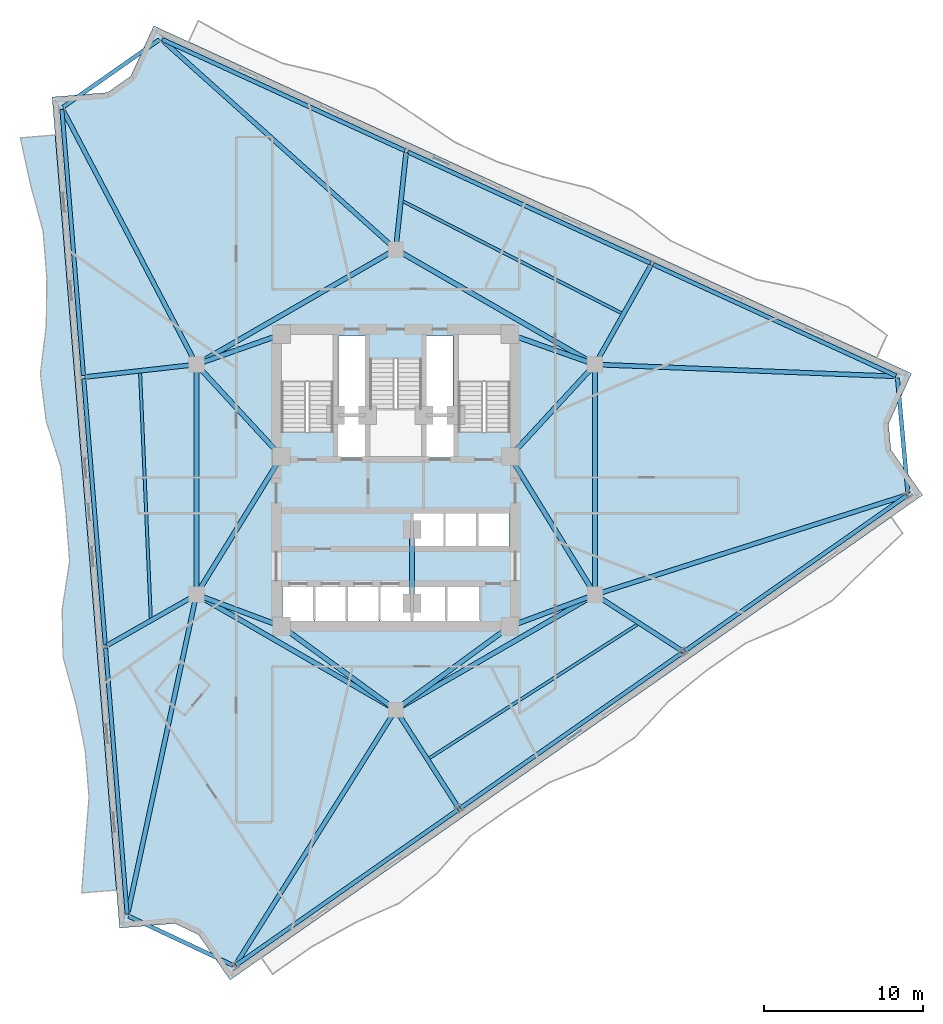
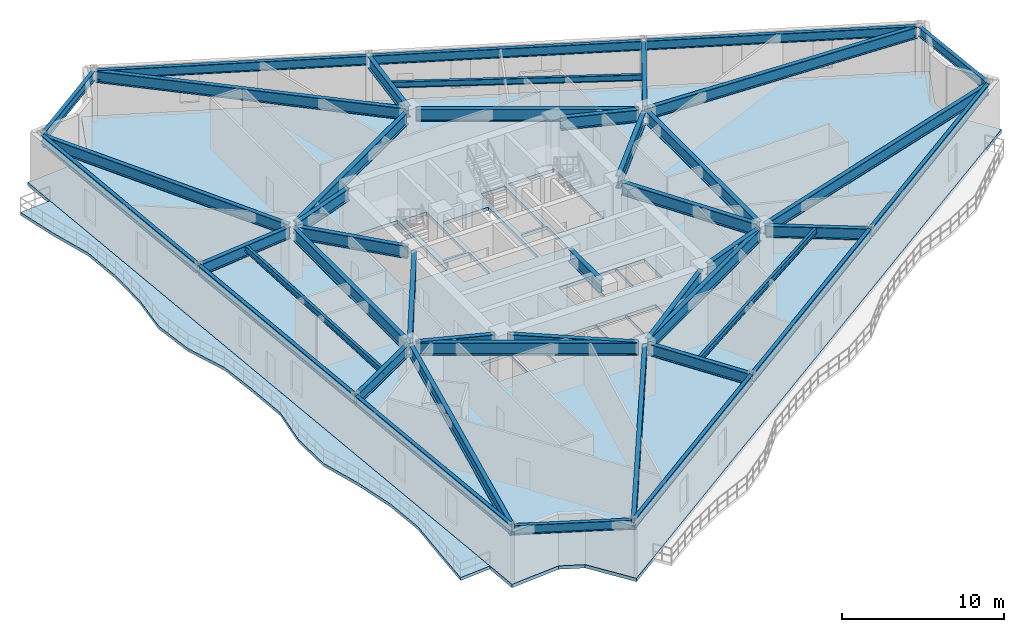
# One storey, part 3 of 11: 44 beams, 2 slabs.
"""IFC4 building model written with IfcOpenShell, lengths in metres."""

import ifcopenshell
import ifcopenshell.guid

model = None  # the IFC model being written
_history = None  # IfcOwnerHistory: only IFC2X3 demands one
_inside = {}  # id of a spatial element -> (the spatial element, [elements in it])
_under = {}  # id of a project, library or spatial element -> (it, [spatial elements below it])
_declared = {}  # id of a project -> (the project, [libraries it declares])
_typed = {}  # id of a type object -> (the type object, [elements of that type])
_made_of = {}  # id of a material, layer set ... -> (it, [elements and type objects made of it])


def new_model(schema):
    """Start an empty IFC model of exactly this schema.

    Asked for "IFC4X3", IfcOpenShell would pick the latest addendum, in which some entities
    have other attributes; the version numbers below select the first issue.
    IFC2X3 requires an IfcOwnerHistory on every rooted entity: one is made here for all.
    """
    global model, _history
    if schema == "IFC4X3":
        model = ifcopenshell.file(schema_version=(4, 3, 0, 0))
    else:
        model = ifcopenshell.file(schema=schema)
    _inside.clear()
    _under.clear()
    _declared.clear()
    _typed.clear()
    _made_of.clear()
    _history = None
    if model.schema == "IFC2X3":
        org = make("IfcOrganization", Name="unknown")
        user = make(
            "IfcPersonAndOrganization",
            ThePerson=make("IfcPerson", FamilyName="unknown"),
            TheOrganization=org,
        )
        app = make(
            "IfcApplication",
            ApplicationDeveloper=org,
            Version="unknown",
            ApplicationFullName="unknown",
            ApplicationIdentifier="unknown",
        )
        _history = make(
            "IfcOwnerHistory",
            OwningUser=user,
            OwningApplication=app,
            ChangeAction="ADDED",
            CreationDate=0,
        )
    return model


def make(cls, **values):
    """One entity of the class cls with the attributes given. An attribute that is None is left unset."""
    return model.create_entity(
        cls, **{name: value for name, value in values.items() if value is not None}
    )


def rooted(cls, **values):
    """An entity with a GlobalId (a new one), such as an element, a storey or a relation."""
    return make(cls, GlobalId=ifcopenshell.guid.new(), OwnerHistory=_history, **values)


def si_unit(unit_type, name, prefix=None):
    """IfcSIUnit, for example si_unit("LENGTHUNIT", "METRE", prefix="MILLI")."""
    return make("IfcSIUnit", UnitType=unit_type, Prefix=prefix, Name=name)


def assignment(units):
    """IfcUnitAssignment: the units of a project."""
    return None if units is None else make("IfcUnitAssignment", Units=units)


def point(xyz):
    """IfcCartesianPoint."""
    return None if xyz is None else make("IfcCartesianPoint", Coordinates=xyz)


def direction(xyz):
    """IfcDirection."""
    return None if xyz is None else make("IfcDirection", DirectionRatios=xyz)


def frame(location, z_axis=None, x_axis=None):
    """IfcAxis2Placement3D, a coordinate frame: its origin and axes. An axis left out is left unset."""
    return make(
        "IfcAxis2Placement3D",
        Location=point(location),
        Axis=direction(z_axis),
        RefDirection=direction(x_axis),
    )


def frame_2d(location, x_axis=None):
    """IfcAxis2Placement2D, a coordinate frame in the plane: its origin and x axis."""
    return make(
        "IfcAxis2Placement2D", Location=point(location), RefDirection=direction(x_axis)
    )


def origin():
    """The frame at (0, 0, 0) with its axes left unset."""
    return frame((0.0, 0.0, 0.0))


def origin_2d():
    """The frame at (0, 0) in the plane with its x axis left unset."""
    return frame_2d((0.0, 0.0))


def place(relative_to, where):
    """IfcLocalPlacement: puts the frame where relative to a parent placement (None: the world)."""
    return make(
        "IfcLocalPlacement", PlacementRelTo=relative_to, RelativePlacement=where
    )


def context(
    kind, dimensions, precision=None, world=None, true_north=None, identifier=None
):
    """IfcGeometricRepresentationContext, for example the 3D "Model" context."""
    return make(
        "IfcGeometricRepresentationContext",
        ContextIdentifier=identifier,
        ContextType=kind,
        CoordinateSpaceDimension=dimensions,
        Precision=precision,
        WorldCoordinateSystem=world,
        TrueNorth=true_north,
    )


def subcontext(parent, identifier, kind, view, scale=None):
    """IfcGeometricRepresentationSubContext, for example "Body" below "Model"."""
    return make(
        "IfcGeometricRepresentationSubContext",
        ContextIdentifier=identifier,
        ContextType=kind,
        ParentContext=parent,
        TargetScale=scale,
        TargetView=view,
    )


def project(units=None, contexts=None):
    """IfcProject with its units and contexts."""
    return rooted(
        "IfcProject",
        Name="project",
        RepresentationContexts=contexts,
        UnitsInContext=assignment(units),
    )


def spatial(cls, under=None, at=None, **own):
    """A site, building, storey or space (cls), placed at a placement, below another one or the project."""
    s = rooted(cls, ObjectPlacement=at, **own)
    if under is not None:
        _under.setdefault(under.id(), (under, []))[1].append(s)
    return s


def polyline(points):
    """IfcPolyline through the points."""
    return make("IfcPolyline", Points=[point(p) for p in points])


def profile(cls, at=None, kind="AREA", **sizes):
    """A parametric profile (cls). Its sizes go by their IFC names, for example OverallWidth=200.0."""
    return make(cls, ProfileType=kind, Position=at, **sizes)


def i_section(**sizes):
    """IfcIShapeProfileDef."""
    return profile("IfcIShapeProfileDef", **sizes)


def outline(outer, holes=None, kind="AREA"):
    """IfcArbitraryClosedProfileDef: a profile drawn as a closed curve; with holes, ...WithVoids."""
    if holes is None:
        return make("IfcArbitraryClosedProfileDef", ProfileType=kind, OuterCurve=outer)
    return make(
        "IfcArbitraryProfileDefWithVoids",
        ProfileType=kind,
        OuterCurve=outer,
        InnerCurves=holes,
    )


def extrude(swept, where, along, depth):
    """IfcExtrudedAreaSolid: the profile swept, set in the frame where, extruded along a direction by depth."""
    return make(
        "IfcExtrudedAreaSolid",
        SweptArea=swept,
        Position=where,
        ExtrudedDirection=direction(along),
        Depth=depth,
    )


def shape(context_of_items, identifier, shape_type, items):
    """IfcShapeRepresentation: the items that make up one representation, for example the "Body"."""
    return make(
        "IfcShapeRepresentation",
        ContextOfItems=context_of_items,
        RepresentationIdentifier=identifier,
        RepresentationType=shape_type,
        Items=items,
    )


def material(Name=None, Category=None):
    """IfcMaterial."""
    return make("IfcMaterial", Name=Name, Category=Category)


def layer(
    of_material, thickness, ventilated=None, Name=None, Category=None, Priority=None
):
    """IfcMaterialLayer: one layer of a wall or slab, of a material (None: an air gap)."""
    return make(
        "IfcMaterialLayer",
        Material=of_material,
        LayerThickness=thickness,
        IsVentilated=ventilated,
        Name=Name,
        Category=Category,
        Priority=Priority,
    )


def layer_set(layers, Name=None):
    """IfcMaterialLayerSet."""
    return make("IfcMaterialLayerSet", MaterialLayers=layers, LayerSetName=Name)


def material_profile(
    of_material, cross_section, Name=None, Category=None, Priority=None
):
    """IfcMaterialProfile: a cross section and its material."""
    return make(
        "IfcMaterialProfile",
        Name=Name,
        Material=of_material,
        Profile=cross_section,
        Priority=Priority,
        Category=Category,
    )


def profile_set(profiles, Name=None, composite=None):
    """IfcMaterialProfileSet."""
    return make(
        "IfcMaterialProfileSet",
        Name=Name,
        MaterialProfiles=profiles,
        CompositeProfile=composite,
    )


def made_of(thing, what):
    """Note that an element or type object is made of a material, layer set ...; save() writes the relation."""
    if what is not None:
        _made_of.setdefault(what.id(), (what, []))[1].append(thing)
    return thing


def type_object(cls, material=None, **own):
    """A type object (cls), such as IfcWallType, which elements share."""
    return made_of(rooted(cls, **own), material)


def element(
    cls,
    number,
    at=None,
    inside=None,
    cuts=None,
    type_object=None,
    material=None,
    context=None,
    identifier="Body",
    shape_type=None,
    held_by="IfcProductDefinitionShape",
    body=None,
    shapes=None,
    **own,
):
    """One element of the class cls, such as IfcWall. Its Tag is "e" and its number.

    at: its placement. inside: the storey or other place that contains it. cuts: it is an
    opening in that element (IfcRelVoidsElement). A single representation is given by context,
    identifier, shape_type and body (its items); several are given by shapes. held_by: the class
    of the entity that holds the representations. save() writes the other relations.
    """
    e = rooted(cls, Tag="e%d" % number, ObjectPlacement=at, **own)
    if body is not None:
        shapes = [shape(context, identifier, shape_type, body)]
    if shapes is not None:
        e.Representation = make(held_by, Representations=shapes)
    if inside is not None:
        _inside.setdefault(inside.id(), (inside, []))[1].append(e)
    if cuts is not None:
        rooted(
            "IfcRelVoidsElement", RelatingBuildingElement=cuts, RelatedOpeningElement=e
        )
    if type_object is not None:
        _typed.setdefault(type_object.id(), (type_object, []))[1].append(e)
    return made_of(e, material)


def aggregate(whole, parts):
    """IfcRelAggregates: a whole, such as a stair, and the parts it consists of."""
    return rooted("IfcRelAggregates", RelatingObject=whole, RelatedObjects=parts)


def save(model, path):
    """Write the relations noted so far, then the file.

    IfcRelAggregates (storeys below a building ...), IfcRelContainedInSpatialStructure (elements
    in a storey), IfcRelDefinesByType, IfcRelAssociatesMaterial and IfcRelDeclares: one each for
    every whole, place, type object, material and project.
    """
    for whole, parts in _under.values():
        aggregate(whole, parts)
    for where, things in _inside.values():
        rooted(
            "IfcRelContainedInSpatialStructure",
            RelatedElements=things,
            RelatingStructure=where,
        )
    for kind, things in _typed.values():
        rooted("IfcRelDefinesByType", RelatedObjects=things, RelatingType=kind)
    for what, things in _made_of.values():
        rooted("IfcRelAssociatesMaterial", RelatedObjects=things, RelatingMaterial=what)
    for by, libraries in _declared.values():
        rooted("IfcRelDeclares", RelatingContext=by, RelatedDefinitions=libraries)
    model.write(path)


model = new_model("IFC4")

# Units and contexts
model_context = context("Model", 3, precision=1e-05, world=origin(), true_north=direction((0.0, 1.0)))
body_context = subcontext(model_context, "Body", "Model", "MODEL_VIEW")
ifc_project = project(units=[si_unit("LENGTHUNIT", "METRE"), si_unit("AREAUNIT", "SQUARE_METRE"), si_unit("VOLUMEUNIT", "CUBIC_METRE"), si_unit("PLANEANGLEUNIT", "RADIAN"), si_unit("MASSUNIT", "GRAM", prefix="KILO")], contexts=[model_context])

# Site, building, storey
site_placement = place(None, origin())
site = spatial("IfcSite", under=ifc_project, at=site_placement, CompositionType="ELEMENT")
building_placement = place(site_placement, origin())
building = spatial("IfcBuilding", under=site, at=building_placement, Name="Apsidion Concourse Tower", CompositionType="ELEMENT")
storey_placement = place(building_placement, frame((0.0, 0.0, 214.699951171875)))
storey = spatial("IfcBuildingStorey", under=building, at=storey_placement, Name="L50", CompositionType="ELEMENT", Elevation=214.699951171875)

# Beams
ifc_material_1 = material(Name="Structural steel ASTM A992 Grade 50", Category="steel")
ifc_material_profile_1 = material_profile(ifc_material_1, i_section(OverallWidth=0.19091796875, OverallDepth=0.45703125, WebThickness=0.009033203125, FlangeThickness=0.014404296875, at=origin_2d()), Name="W18X50")
ifc_profile_set_1 = profile_set([ifc_material_profile_1], Name="Structural steel ASTM A992 Grade 50")
beam_type_1 = type_object("IfcBeamType", Name="BM-FL-W18", PredefinedType="BEAM", material=ifc_profile_set_1)
beam_1_placement = place(storey_placement, frame((-16.11181640625, 6.8505859375, 3.62158203125), z_axis=(0.043631006422, -0.999047714215, 0.0), x_axis=(0.999047714215, 0.043631006422, 0.0)))
element("IfcBeam", 1, at=beam_1_placement, inside=storey, type_object=beam_type_1, Name="L50 Secondary Floor Beam SEC-F1", PredefinedType="BEAM", context=body_context, shape_type="SweptSolid", body=[
    extrude(i_section(OverallWidth=0.19091796875, OverallDepth=0.45703125, WebThickness=0.009033203125, FlangeThickness=0.014404296875, at=origin_2d()), origin(), (0.0, 0.0, 1.0), 15.745849609375),
])
beam_2_placement = place(storey_placement, frame((1.998291015625, -17.62744140625, 3.62158203125), z_axis=(0.841372392943, 0.540455822796, 0.0), x_axis=(-0.540455822796, 0.841372392943, 0.0)))
element("IfcBeam", 2, at=beam_2_placement, inside=storey, type_object=beam_type_1, Name="L50 Secondary Floor Beam SEC-F2", PredefinedType="BEAM", context=body_context, shape_type="SweptSolid", body=[
    extrude(i_section(OverallWidth=0.19091796875, OverallDepth=0.45703125, WebThickness=0.009033203125, FlangeThickness=0.014404296875, at=origin_2d()), origin(), (0.0, 0.0, 1.0), 15.866943359375),
])
beam_3_placement = place(storey_placement, frame((14.345947265625, 10.4208984375, 3.62158203125), z_axis=(-0.89021964365, 0.455531542332, 0.0), x_axis=(-0.455531542332, -0.89021964365, 0.0)))
element("IfcBeam", 3, at=beam_3_placement, inside=storey, type_object=beam_type_1, Name="L50 Secondary Floor Beam SEC-F3", PredefinedType="BEAM", context=body_context, shape_type="SweptSolid", body=[
    extrude(i_section(OverallWidth=0.19091796875, OverallDepth=0.45703125, WebThickness=0.009033203125, FlangeThickness=0.014404296875, at=origin_2d()), origin(), (0.0, 0.0, 1.0), 15.742431640625),
])
ifc_material_profile_2 = material_profile(ifc_material_1, i_section(OverallWidth=0.2919921875, OverallDepth=0.85888671875, WebThickness=0.01708984375, FlangeThickness=0.031005859375, at=origin_2d()), Name="W33X169")
ifc_profile_set_2 = profile_set([ifc_material_profile_2], Name="Structural steel ASTM A992 Grade 50")
beam_type_2 = type_object("IfcBeamType", Name="BM-G-W33", PredefinedType="USERDEFINED", material=ifc_profile_set_2)
beam_4_placement = place(storey_placement, frame((-12.662109375, 7.44482421875, 3.420654296875), z_axis=(-0.464502454228, 0.885571832217, 0.0), x_axis=(-0.885571832217, -0.464502454228, 0.0)))
element("IfcBeam", 4, at=beam_4_placement, inside=storey, type_object=beam_type_2, Name="L50 Radial Floor Girder RAD-01", ObjectType="GIRDER", PredefinedType="USERDEFINED", context=body_context, shape_type="SweptSolid", body=[
    extrude(i_section(OverallWidth=0.2919921875, OverallDepth=0.85888671875, WebThickness=0.01708984375, FlangeThickness=0.031005859375, at=origin_2d()), origin(), (0.0, 0.0, 1.0), 17.93115234375),
])
beam_5_placement = place(storey_placement, frame((-12.778564453125, 7.225341796875, 3.420654296875), z_axis=(-0.993738563009, -0.111730337821, 0.0), x_axis=(0.111730337821, -0.993738563009, 0.0)))
element("IfcBeam", 5, at=beam_5_placement, inside=storey, type_object=beam_type_2, Name="L50 Radial Floor Girder RAD-02", ObjectType="GIRDER", PredefinedType="USERDEFINED", context=body_context, shape_type="SweptSolid", body=[
    extrude(i_section(OverallWidth=0.2919921875, OverallDepth=0.85888671875, WebThickness=0.01708984375, FlangeThickness=0.031005859375, at=origin_2d()), origin(), (0.0, 0.0, 1.0), 6.828369140625),
])
beam_6_placement = place(storey_placement, frame((-12.751220703125, -7.35888671875, 3.420654296875), z_axis=(-0.869137581248, -0.494570384134, 0.0), x_axis=(0.494570384134, -0.869137581248, 0.0)))
element("IfcBeam", 6, at=beam_6_placement, inside=storey, type_object=beam_type_2, Name="L50 Radial Floor Girder RAD-03", ObjectType="GIRDER", PredefinedType="USERDEFINED", context=body_context, shape_type="SweptSolid", body=[
    extrude(i_section(OverallWidth=0.2919921875, OverallDepth=0.85888671875, WebThickness=0.01708984375, FlangeThickness=0.031005859375, at=origin_2d()), origin(), (0.0, 0.0, 1.0), 6.272216796875),
])
beam_7_placement = place(storey_placement, frame((-12.606201171875, -7.465087890625, 3.420654296875), z_axis=(-0.210551493457, -0.97758276816, 0.0), x_axis=(0.97758276816, -0.210551493457, 0.0)))
element("IfcBeam", 7, at=beam_7_placement, inside=storey, type_object=beam_type_2, Name="L50 Radial Floor Girder RAD-04", ObjectType="GIRDER", PredefinedType="USERDEFINED", context=body_context, shape_type="SweptSolid", body=[
    extrude(i_section(OverallWidth=0.2919921875, OverallDepth=0.85888671875, WebThickness=0.01708984375, FlangeThickness=0.031005859375, at=origin_2d()), origin(), (0.0, 0.0, 1.0), 20.365966796875),
])
beam_8_placement = place(storey_placement, frame((-0.116943359375, -14.686279296875, 3.420654296875), z_axis=(-0.531745770751, -0.846904029562, 0.0), x_axis=(0.846904029562, -0.531745770751, 0.0)))
element("IfcBeam", 8, at=beam_8_placement, inside=storey, type_object=beam_type_2, Name="L50 Radial Floor Girder RAD-05", ObjectType="GIRDER", PredefinedType="USERDEFINED", context=body_context, shape_type="SweptSolid", body=[
    extrude(i_section(OverallWidth=0.2919921875, OverallDepth=0.85888671875, WebThickness=0.01708984375, FlangeThickness=0.031005859375, at=origin_2d()), origin(), (0.0, 0.0, 1.0), 18.7568359375),
])
beam_9_placement = place(storey_placement, frame((0.118408203125, -14.685302734375, 3.420654296875), z_axis=(0.538373682335, -0.842706222933, 0.0), x_axis=(0.842706222933, 0.538373682335, 0.0)))
element("IfcBeam", 9, at=beam_9_placement, inside=storey, type_object=beam_type_2, Name="L50 Radial Floor Girder RAD-06", ObjectType="GIRDER", PredefinedType="USERDEFINED", context=body_context, shape_type="SweptSolid", body=[
    extrude(i_section(OverallWidth=0.2919921875, OverallDepth=0.85888671875, WebThickness=0.01708984375, FlangeThickness=0.031005859375, at=origin_2d()), origin(), (0.0, 0.0, 1.0), 7.102783203125),
])
beam_10_placement = place(storey_placement, frame((12.744873046875, -7.369384765625, 3.420654296875), z_axis=(0.839870608356, -0.542786662714, 0.0), x_axis=(0.542786662714, 0.839870608356, 0.0)))
element("IfcBeam", 10, at=beam_10_placement, inside=storey, type_object=beam_type_2, Name="L50 Radial Floor Girder RAD-07", ObjectType="GIRDER", PredefinedType="USERDEFINED", context=body_context, shape_type="SweptSolid", body=[
    extrude(i_section(OverallWidth=0.2919921875, OverallDepth=0.85888671875, WebThickness=0.01708984375, FlangeThickness=0.031005859375, at=origin_2d()), origin(), (0.0, 0.0, 1.0), 6.319580078125),
])
beam_11_placement = place(storey_placement, frame((12.76953125, -7.18310546875, 3.420654296875), z_axis=(0.952593847726, 0.304244903449, 0.0), x_axis=(-0.304244903449, 0.952593847726, 0.0)))
element("IfcBeam", 11, at=beam_11_placement, inside=storey, type_object=beam_type_2, Name="L50 Radial Floor Girder RAD-08", ObjectType="GIRDER", PredefinedType="USERDEFINED", context=body_context, shape_type="SweptSolid", body=[
    extrude(i_section(OverallWidth=0.2919921875, OverallDepth=0.85888671875, WebThickness=0.01708984375, FlangeThickness=0.031005859375, at=origin_2d()), origin(), (0.0, 0.0, 1.0), 20.378173828125),
])
beam_12_placement = place(storey_placement, frame((12.77978515625, 7.2412109375, 3.420654296875), z_axis=(0.999223835847, -0.039391951902, 0.0), x_axis=(0.039391951902, 0.999223835847, 0.0)))
element("IfcBeam", 12, at=beam_12_placement, inside=storey, type_object=beam_type_2, Name="L50 Radial Floor Girder RAD-09", ObjectType="GIRDER", PredefinedType="USERDEFINED", context=body_context, shape_type="SweptSolid", body=[
    extrude(i_section(OverallWidth=0.2919921875, OverallDepth=0.85888671875, WebThickness=0.01708984375, FlangeThickness=0.031005859375, at=origin_2d()), origin(), (0.0, 0.0, 1.0), 18.73583984375),
])
beam_13_placement = place(storey_placement, frame((12.66796875, 7.441650390625, 3.420654296875), z_axis=(0.4907642116, 0.871292424283, 0.0), x_axis=(-0.871292424283, 0.4907642116, 0.0)))
element("IfcBeam", 13, at=beam_13_placement, inside=storey, type_object=beam_type_2, Name="L50 Radial Floor Girder RAD-10", ObjectType="GIRDER", PredefinedType="USERDEFINED", context=body_context, shape_type="SweptSolid", body=[
    extrude(i_section(OverallWidth=0.2919921875, OverallDepth=0.85888671875, WebThickness=0.01708984375, FlangeThickness=0.031005859375, at=origin_2d()), origin(), (0.0, 0.0, 1.0), 6.95849609375),
])
beam_14_placement = place(storey_placement, frame((0.0234375, 14.71875, 3.420654296875), z_axis=(0.106642710953, 0.994297406313, 0.0), x_axis=(-0.994297406313, 0.106642710953, 0.0)))
element("IfcBeam", 14, at=beam_14_placement, inside=storey, type_object=beam_type_2, Name="L50 Radial Floor Girder RAD-11", ObjectType="GIRDER", PredefinedType="USERDEFINED", context=body_context, shape_type="SweptSolid", body=[
    extrude(i_section(OverallWidth=0.2919921875, OverallDepth=0.85888671875, WebThickness=0.01708984375, FlangeThickness=0.031005859375, at=origin_2d()), origin(), (0.0, 0.0, 1.0), 5.899658203125),
])
beam_15_placement = place(storey_placement, frame((-0.163818359375, 14.64697265625, 3.420654296875), z_axis=(-0.74450463884, 0.667617287632, 0.0), x_axis=(-0.667617287632, -0.74450463884, 0.0)))
element("IfcBeam", 15, at=beam_15_placement, inside=storey, type_object=beam_type_2, Name="L50 Radial Floor Girder RAD-12", ObjectType="GIRDER", PredefinedType="USERDEFINED", context=body_context, shape_type="SweptSolid", body=[
    extrude(i_section(OverallWidth=0.2919921875, OverallDepth=0.85888671875, WebThickness=0.01708984375, FlangeThickness=0.031005859375, at=origin_2d()), origin(), (0.0, 0.0, 1.0), 19.566162109375),
])
ifc_material_profile_3 = material_profile(ifc_material_1, i_section(OverallWidth=0.31005859375, OverallDepth=0.931884765625, WebThickness=0.02099609375, FlangeThickness=0.034423828125, at=origin_2d()), Name="W36X210")
ifc_profile_set_3 = profile_set([ifc_material_profile_3], Name="Structural steel ASTM A992 Grade 50")
beam_type_3 = type_object("IfcBeamType", Name="BM-G-W36", PredefinedType="USERDEFINED", material=ifc_profile_set_3)
beam_16_placement = place(storey_placement, frame((-12.185302734375, -7.389892578125, 3.384033203125), z_axis=(0.936913021145, -0.349562570664, 0.0), x_axis=(0.349562570664, 0.936913021145, 0.0)))
element("IfcBeam", 16, at=beam_16_placement, inside=storey, type_object=beam_type_3, Name="L50 Core Coupling Girder IC1-SC1", ObjectType="GIRDER", PredefinedType="USERDEFINED", context=body_context, shape_type="SweptSolid", body=[
    extrude(i_section(OverallWidth=0.31005859375, OverallDepth=0.931884765625, WebThickness=0.02099609375, FlangeThickness=0.034423828125, at=origin_2d()), origin(), (0.0, 0.0, 1.0), 4.921142578125),
])
beam_17_placement = place(storey_placement, frame((-12.35009765625, -6.909423828125, 3.384033203125), z_axis=(0.524524009763, 0.851395656074, 0.0), x_axis=(-0.851395656074, 0.524524009763, 0.0)))
element("IfcBeam", 17, at=beam_17_placement, inside=storey, type_object=beam_type_3, Name="L50 Core Coupling Girder IC1-SC6", ObjectType="GIRDER", PredefinedType="USERDEFINED", context=body_context, shape_type="SweptSolid", body=[
    extrude(i_section(OverallWidth=0.31005859375, OverallDepth=0.931884765625, WebThickness=0.02099609375, FlangeThickness=0.034423828125, at=origin_2d()), origin(), (0.0, 0.0, 1.0), 9.41845703125),
])
beam_18_placement = place(storey_placement, frame((12.185302734375, -7.389892578125, 3.384033203125), z_axis=(-0.936913021145, -0.349562570664, 0.0), x_axis=(0.349562570664, -0.936913021145, 0.0)))
element("IfcBeam", 18, at=beam_18_placement, inside=storey, type_object=beam_type_3, Name="L50 Core Coupling Girder IC2-SC2", ObjectType="GIRDER", PredefinedType="USERDEFINED", context=body_context, shape_type="SweptSolid", body=[
    extrude(i_section(OverallWidth=0.31005859375, OverallDepth=0.931884765625, WebThickness=0.02099609375, FlangeThickness=0.034423828125, at=origin_2d()), origin(), (0.0, 0.0, 1.0), 4.921142578125),
])
beam_19_placement = place(storey_placement, frame((12.35009765625, -6.909423828125, 3.384033203125), z_axis=(-0.524524009763, 0.851395656074, 0.0), x_axis=(-0.851395656074, -0.524524009763, 0.0)))
element("IfcBeam", 19, at=beam_19_placement, inside=storey, type_object=beam_type_3, Name="L50 Core Coupling Girder IC2-SC3", ObjectType="GIRDER", PredefinedType="USERDEFINED", context=body_context, shape_type="SweptSolid", body=[
    extrude(i_section(OverallWidth=0.31005859375, OverallDepth=0.931884765625, WebThickness=0.02099609375, FlangeThickness=0.034423828125, at=origin_2d()), origin(), (0.0, 0.0, 1.0), 9.41845703125),
])
beam_20_placement = place(storey_placement, frame((12.28857421875, 6.956298828125, 3.384033203125), z_axis=(-0.678712876106, -0.73440372535, 0.0), x_axis=(0.73440372535, -0.678712876106, 0.0)))
element("IfcBeam", 20, at=beam_20_placement, inside=storey, type_object=beam_type_3, Name="L50 Core Coupling Girder IC3-SC3", ObjectType="GIRDER", PredefinedType="USERDEFINED", context=body_context, shape_type="SweptSolid", body=[
    extrude(i_section(OverallWidth=0.31005859375, OverallDepth=0.931884765625, WebThickness=0.02099609375, FlangeThickness=0.034423828125, at=origin_2d()), origin(), (0.0, 0.0, 1.0), 7.097412109375),
])
beam_21_placement = place(storey_placement, frame((12.18310546875, 7.383544921875, 3.384033203125), z_axis=(-0.942533844539, 0.334110688094, 0.0), x_axis=(-0.334110688094, -0.942533844539, 0.0)))
element("IfcBeam", 21, at=beam_21_placement, inside=storey, type_object=beam_type_3, Name="L50 Core Coupling Girder IC3-SC4", ObjectType="GIRDER", PredefinedType="USERDEFINED", context=body_context, shape_type="SweptSolid", body=[
    extrude(i_section(OverallWidth=0.31005859375, OverallDepth=0.931884765625, WebThickness=0.02099609375, FlangeThickness=0.034423828125, at=origin_2d()), origin(), (0.0, 0.0, 1.0), 4.886962890625),
])
beam_22_placement = place(storey_placement, frame((-12.28857421875, 6.956298828125, 3.384033203125), z_axis=(0.678712876106, -0.73440372535, 0.0), x_axis=(0.73440372535, 0.678712876106, 0.0)))
element("IfcBeam", 22, at=beam_22_placement, inside=storey, type_object=beam_type_3, Name="L50 Core Coupling Girder IC5-SC6", ObjectType="GIRDER", PredefinedType="USERDEFINED", context=body_context, shape_type="SweptSolid", body=[
    extrude(i_section(OverallWidth=0.31005859375, OverallDepth=0.931884765625, WebThickness=0.02099609375, FlangeThickness=0.034423828125, at=origin_2d()), origin(), (0.0, 0.0, 1.0), 7.097412109375),
])
beam_23_placement = place(storey_placement, frame((-12.18310546875, 7.383544921875, 3.384033203125), z_axis=(0.942533844539, 0.334110688094, 0.0), x_axis=(-0.334110688094, 0.942533844539, 0.0)))
element("IfcBeam", 23, at=beam_23_placement, inside=storey, type_object=beam_type_3, Name="L50 Core Coupling Girder IC5-SC5", ObjectType="GIRDER", PredefinedType="USERDEFINED", context=body_context, shape_type="SweptSolid", body=[
    extrude(i_section(OverallWidth=0.31005859375, OverallDepth=0.931884765625, WebThickness=0.02099609375, FlangeThickness=0.034423828125, at=origin_2d()), origin(), (0.0, 0.0, 1.0), 4.886962890625),
])
for number, where, z_axis, x_axis, name in (
    (24, (-0.3232421875, -14.264404296875, 3.384033203125), (-0.807993498909, 0.589191399905, 0.0), (-0.589191399905, -0.807993498909, 0.0), "L50 Core Coupling Girder IC6-SC1"),
    (25, (0.3232421875, -14.264404296875, 3.384033203125), (0.807993498909, 0.589191399905, 0.0), (-0.589191399905, 0.807993498909, 0.0), "L50 Core Coupling Girder IC6-SC2"),
):
    element("IfcBeam", number, at=place(storey_placement, frame(where, z_axis=z_axis, x_axis=x_axis)), inside=storey, type_object=beam_type_3, Name=name, ObjectType="GIRDER", PredefinedType="USERDEFINED", context=body_context, shape_type="SweptSolid", body=[
        extrude(i_section(OverallWidth=0.31005859375, OverallDepth=0.931884765625, WebThickness=0.02099609375, FlangeThickness=0.034423828125, at=origin_2d()), origin(), (0.0, 0.0, 1.0), 8.11083984375),
    ])
beam_24_placement = place(storey_placement, frame((-12.56005859375, -6.85009765625, 3.384033203125), z_axis=(0.0, 1.0, 0.0), x_axis=(-1.0, 0.0, 0.0)))
element("IfcBeam", 26, at=beam_24_placement, inside=storey, type_object=beam_type_3, Name="L50 Core Coupling Girder IC1-IC5", ObjectType="GIRDER", PredefinedType="USERDEFINED", context=body_context, shape_type="SweptSolid", body=[
    extrude(i_section(OverallWidth=0.31005859375, OverallDepth=0.931884765625, WebThickness=0.02099609375, FlangeThickness=0.034423828125, at=origin_2d()), origin(), (0.0, 0.0, 1.0), 13.7001953125),
])
for number, where, z_axis, x_axis, name in (
    (27, (-12.213623046875, 7.449951171875, 3.384033203125), (0.866070471464, 0.499921932364, 0.0), (-0.499921932364, 0.866070471464, 0.0), "L50 Core Coupling Girder IC5-IC4"),
    (28, (0.346435546875, 14.300048828125, 3.384033203125), (0.866070471464, -0.499921932364, 0.0), (0.499921932364, 0.866070471464, 0.0), "L50 Core Coupling Girder IC4-IC3"),
):
    element("IfcBeam", number, at=place(storey_placement, frame(where, z_axis=z_axis, x_axis=x_axis)), inside=storey, type_object=beam_type_3, Name=name, ObjectType="GIRDER", PredefinedType="USERDEFINED", context=body_context, shape_type="SweptSolid", body=[
        extrude(i_section(OverallWidth=0.31005859375, OverallDepth=0.931884765625, WebThickness=0.02099609375, FlangeThickness=0.034423828125, at=origin_2d()), origin(), (0.0, 0.0, 1.0), 13.702392578125),
    ])
beam_25_placement = place(storey_placement, frame((12.56005859375, 6.85009765625, 3.384033203125), z_axis=(0.0, -1.0, 0.0), x_axis=(1.0, 0.0, 0.0)))
element("IfcBeam", 29, at=beam_25_placement, inside=storey, type_object=beam_type_3, Name="L50 Core Coupling Girder IC3-IC2", ObjectType="GIRDER", PredefinedType="USERDEFINED", context=body_context, shape_type="SweptSolid", body=[
    extrude(i_section(OverallWidth=0.31005859375, OverallDepth=0.931884765625, WebThickness=0.02099609375, FlangeThickness=0.034423828125, at=origin_2d()), origin(), (0.0, 0.0, 1.0), 13.7001953125),
])
for number, where, z_axis, x_axis, name in (
    (30, (12.213623046875, -7.449951171875, 3.384033203125), (-0.866070471464, -0.499921932364, 0.0), (0.499921932364, -0.866070471464, 0.0), "L50 Core Coupling Girder IC2-IC6"),
    (31, (-0.346435546875, -14.300048828125, 3.384033203125), (-0.866070471464, 0.499921932364, 0.0), (-0.499921932364, -0.866070471464, 0.0), "L50 Core Coupling Girder IC6-IC1"),
):
    element("IfcBeam", number, at=place(storey_placement, frame(where, z_axis=z_axis, x_axis=x_axis)), inside=storey, type_object=beam_type_3, Name=name, ObjectType="GIRDER", PredefinedType="USERDEFINED", context=body_context, shape_type="SweptSolid", body=[
        extrude(i_section(OverallWidth=0.31005859375, OverallDepth=0.931884765625, WebThickness=0.02099609375, FlangeThickness=0.034423828125, at=origin_2d()), origin(), (0.0, 0.0, 1.0), 13.702392578125),
    ])
beam_26_placement = place(storey_placement, frame((1.02490234375, -3.550048828125, 3.384033203125), z_axis=(0.0, -1.0, 0.0), x_axis=(1.0, 0.0, 0.0)))
element("IfcBeam", 32, at=beam_26_placement, inside=storey, type_object=beam_type_3, Name="L50 Core Coupling Girder CC5-CC6", ObjectType="GIRDER", PredefinedType="USERDEFINED", context=body_context, shape_type="SweptSolid", body=[
    extrude(i_section(OverallWidth=0.31005859375, OverallDepth=0.931884765625, WebThickness=0.02099609375, FlangeThickness=0.034423828125, at=origin_2d()), origin(), (0.0, 0.0, 1.0), 3.849853515625),
])
ifc_material_profile_4 = material_profile(ifc_material_1, i_section(OverallWidth=0.256103515625, OverallDepth=0.693115234375, WebThickness=0.014404296875, FlangeThickness=0.023681640625, at=origin_2d()), Name="W27X114")
ifc_profile_set_4 = profile_set([ifc_material_profile_4], Name="Structural steel ASTM A992 Grade 50")
beam_type_4 = type_object("IfcBeamType", Name="BM-SP-W27", PredefinedType="SPANDREL", material=ifc_profile_set_4)
for number, where, z_axis, x_axis, name in (
    (33, (-21.029541015625, 23.31298828125, 3.503662109375), (0.080745704709, -0.996734734607, 0.0), (0.996734734607, 0.080745704709, 0.0), "L50 Perimeter Spandrel Girder SP-01"),
    (34, (-19.655517578125, 6.351318359375, 3.503662109375), (0.080745704709, -0.996734734607, 0.0), (0.996734734607, 0.080745704709, 0.0), "L50 Perimeter Spandrel Girder SP-02"),
):
    element("IfcBeam", number, at=place(storey_placement, frame(where, z_axis=z_axis, x_axis=x_axis)), inside=storey, type_object=beam_type_4, Name=name, PredefinedType="SPANDREL", context=body_context, shape_type="SweptSolid", body=[
        extrude(i_section(OverallWidth=0.256103515625, OverallDepth=0.693115234375, WebThickness=0.014404296875, FlangeThickness=0.023681640625, at=origin_2d()), origin(), (0.0, 0.0, 1.0), 16.817138671875),
    ])
beam_27_placement = place(storey_placement, frame((-18.281494140625, -10.610107421875, 3.503662109375), z_axis=(0.080744536336, -0.996734829256, 0.0), x_axis=(0.996734829256, 0.080744536336, 0.0)))
element("IfcBeam", 35, at=beam_27_placement, inside=storey, type_object=beam_type_4, Name="L50 Perimeter Spandrel Girder SP-03", PredefinedType="SPANDREL", context=body_context, shape_type="SweptSolid", body=[
    extrude(i_section(OverallWidth=0.256103515625, OverallDepth=0.693115234375, WebThickness=0.014404296875, FlangeThickness=0.023681640625, at=origin_2d()), origin(), (0.0, 0.0, 1.0), 16.8173828125),
])
beam_28_placement = place(storey_placement, frame((-16.824951171875, -27.514892578125, 3.503662109375), z_axis=(0.904961486734, -0.425493487057, 0.0), x_axis=(0.425493487057, 0.904961486734, 0.0)))
element("IfcBeam", 36, at=beam_28_placement, inside=storey, type_object=beam_type_4, Name="L50 Perimeter Spandrel Girder SP-04", PredefinedType="SPANDREL", context=body_context, shape_type="SweptSolid", body=[
    extrude(i_section(OverallWidth=0.256103515625, OverallDepth=0.693115234375, WebThickness=0.014404296875, FlangeThickness=0.023681640625, at=origin_2d()), origin(), (0.0, 0.0, 1.0), 7.282470703125),
])
beam_29_placement = place(storey_placement, frame((-10.06201171875, -30.598876953125, 3.503662109375), z_axis=(0.819150571533, 0.573578539659, 0.0), x_axis=(-0.573578539659, 0.819150571533, 0.0)))
element("IfcBeam", 37, at=beam_29_placement, inside=storey, type_object=beam_type_4, Name="L50 Perimeter Spandrel Girder SP-05", PredefinedType="SPANDREL", context=body_context, shape_type="SweptSolid", body=[
    extrude(i_section(OverallWidth=0.256103515625, OverallDepth=0.693115234375, WebThickness=0.014404296875, FlangeThickness=0.023681640625, at=origin_2d()), origin(), (0.0, 0.0, 1.0), 17.06201171875),
])
beam_30_placement = place(storey_placement, frame((4.078125, -20.69775390625, 3.503662109375), z_axis=(0.81915527902, 0.573571816649, 0.0), x_axis=(-0.573571816649, 0.81915527902, 0.0)))
element("IfcBeam", 38, at=beam_30_placement, inside=storey, type_object=beam_type_4, Name="L50 Perimeter Spandrel Girder SP-06", PredefinedType="SPANDREL", context=body_context, shape_type="SweptSolid", body=[
    extrude(i_section(OverallWidth=0.256103515625, OverallDepth=0.693115234375, WebThickness=0.014404296875, FlangeThickness=0.023681640625, at=origin_2d()), origin(), (0.0, 0.0, 1.0), 17.062255859375),
])
beam_31_placement = place(storey_placement, frame((18.218505859375, -10.79638671875, 3.503662109375), z_axis=(0.81916200197, 0.573562215046, 0.0), x_axis=(-0.573562215046, 0.81916200197, 0.0)))
element("IfcBeam", 39, at=beam_31_placement, inside=storey, type_object=beam_type_4, Name="L50 Perimeter Spandrel Girder SP-07", PredefinedType="SPANDREL", context=body_context, shape_type="SweptSolid", body=[
    extrude(i_section(OverallWidth=0.256103515625, OverallDepth=0.693115234375, WebThickness=0.014404296875, FlangeThickness=0.023681640625, at=origin_2d()), origin(), (0.0, 0.0, 1.0), 17.06201171875),
])
beam_32_placement = place(storey_placement, frame((32.267822265625, -0.853271484375, 3.503662109375), z_axis=(-0.090345320994, 0.99591049948, 0.0), x_axis=(-0.99591049948, -0.090345320994, 0.0)))
element("IfcBeam", 40, at=beam_32_placement, inside=storey, type_object=beam_type_4, Name="L50 Perimeter Spandrel Girder SP-08", PredefinedType="SPANDREL", context=body_context, shape_type="SweptSolid", body=[
    extrude(i_section(OverallWidth=0.256103515625, OverallDepth=0.693115234375, WebThickness=0.014404296875, FlangeThickness=0.023681640625, at=origin_2d()), origin(), (0.0, 0.0, 1.0), 7.28271484375),
])
beam_33_placement = place(storey_placement, frame((31.510009765625, 6.541015625, 3.503662109375), z_axis=(-0.909009828689, 0.416774676949, 0.0), x_axis=(-0.416774676949, -0.909009828689, 0.0)))
element("IfcBeam", 41, at=beam_33_placement, inside=storey, type_object=beam_type_4, Name="L50 Perimeter Spandrel Girder SP-09", PredefinedType="SPANDREL", context=body_context, shape_type="SweptSolid", body=[
    extrude(i_section(OverallWidth=0.256103515625, OverallDepth=0.693115234375, WebThickness=0.014404296875, FlangeThickness=0.023681640625, at=origin_2d()), origin(), (0.0, 0.0, 1.0), 16.8173828125),
])
beam_34_placement = place(storey_placement, frame((16.041015625, 13.63330078125, 3.503662109375), z_axis=(-0.909007306983, 0.416780176893, 0.0), x_axis=(-0.416780176893, -0.909007306983, 0.0)))
element("IfcBeam", 42, at=beam_34_placement, inside=storey, type_object=beam_type_4, Name="L50 Perimeter Spandrel Girder SP-10", PredefinedType="SPANDREL", context=body_context, shape_type="SweptSolid", body=[
    extrude(i_section(OverallWidth=0.256103515625, OverallDepth=0.693115234375, WebThickness=0.014404296875, FlangeThickness=0.023681640625, at=origin_2d()), origin(), (0.0, 0.0, 1.0), 16.817138671875),
])
beam_35_placement = place(storey_placement, frame((0.572509765625, 20.725830078125, 3.503662109375), z_axis=(-0.909009828689, 0.416774676949, 0.0), x_axis=(-0.416774676949, -0.909009828689, 0.0)))
element("IfcBeam", 43, at=beam_35_placement, inside=storey, type_object=beam_type_4, Name="L50 Perimeter Spandrel Girder SP-11", PredefinedType="SPANDREL", context=body_context, shape_type="SweptSolid", body=[
    extrude(i_section(OverallWidth=0.256103515625, OverallDepth=0.693115234375, WebThickness=0.014404296875, FlangeThickness=0.023681640625, at=origin_2d()), origin(), (0.0, 0.0, 1.0), 16.8173828125),
])
beam_36_placement = place(storey_placement, frame((-14.887451171875, 27.71923828125, 3.503662109375), z_axis=(-0.819157596458, -0.57356850695, 0.0), x_axis=(0.57356850695, -0.819157596458, 0.0)))
element("IfcBeam", 44, at=beam_36_placement, inside=storey, type_object=beam_type_4, Name="L50 Perimeter Spandrel Girder SP-12", PredefinedType="SPANDREL", context=body_context, shape_type="SweptSolid", body=[
    extrude(i_section(OverallWidth=0.256103515625, OverallDepth=0.693115234375, WebThickness=0.014404296875, FlangeThickness=0.023681640625, at=origin_2d()), origin(), (0.0, 0.0, 1.0), 7.407958984375),
])

# Slabs
ifc_material_2 = material(Name="Concrete C50/60", Category="concrete")
ifc_layer_1 = layer(ifc_material_2, 0.219970703125)
ifc_layer_set_1 = layer_set([ifc_layer_1], Name="Concrete C50/60")
slab_type_1 = type_object("IfcSlabType", Name="SL-BAL-220", PredefinedType="FLOOR", material=ifc_layer_set_1)
slab_1_placement = place(storey_placement, frame((0.0, 0.0, -0.219970703125)))
element("IfcSlab", 45, at=slab_1_placement, inside=storey, type_object=slab_type_1, Name="L50 Face 1 Rippling Balcony Slab", PredefinedType="FLOOR", context=body_context, shape_type="SweptSolid", body=[
    extrude(outline(polyline([(-21.455810546875, 21.7080078125), (-21.21435546875, 18.73486328125), (-20.972900390625, 15.76171875), (-20.7314453125, 12.788330078125), (-20.489990234375, 9.815185546875), (-20.248779296875, 6.842041015625), (-20.00732421875, 3.868896484375), (-19.765869140625, 0.8955078125), (-19.5244140625, -2.07763671875), (-19.283203125, -5.05078125), (-19.041748046875, -8.024169921875), (-18.80029296875, -10.997314453125), (-18.558837890625, -13.970458984375), (-18.3173828125, -16.943603515625), (-18.075927734375, -19.9169921875), (-17.834716796875, -22.89013671875), (-17.59326171875, -25.86328125), (-19.7822265625, -26.041015625), (-19.56640625, -23.03076171875), (-19.322021484375, -20.01806640625), (-19.5634765625, -17.044921875), (-20.15576171875, -14.10009765625), (-20.960205078125, -11.172607421875), (-21.01318359375, -8.18408203125), (-20.544677734375, -5.1533203125), (-20.7705078125, -2.1787109375), (-21.091064453125, 0.7880859375), (-22.0283203125, 3.70458984375), (-22.383544921875, 6.668701171875), (-22.017578125, 9.691162109375), (-21.977294921875, 12.687255859375), (-22.218994140625, 15.660400390625), (-23.01123046875, 18.5888671875), (-23.648681640625, 21.52978515625), (-21.455810546875, 21.7080078125)])), origin(), (0.0, 0.0, 1.0), 0.219970703125),
])
ifc_layer_2 = layer(ifc_material_2, 0.25)
ifc_layer_set_2 = layer_set([ifc_layer_2], Name="Concrete C50/60")
slab_type_2 = type_object("IfcSlabType", Name="SL-FLR-250", PredefinedType="FLOOR", material=ifc_layer_set_2)
slab_2_placement = place(storey_placement, frame((0.0, 0.0, -0.25)))
element("IfcSlab", 46, at=slab_2_placement, inside=storey, type_object=slab_type_2, Name="L50 Structural Floor Slab", PredefinedType="FLOOR", context=body_context, shape_type="SweptSolid", body=[
    extrude(outline(polyline([(-15.241943359375, 28.5869140625), (-16.6982421875, 25.41259765625), (-18.1689453125, 24.3828125), (-21.64990234375, 24.10009765625), (-17.39892578125, -28.25537109375), (-13.91796875, -27.972900390625), (-12.436279296875, -28.669189453125), (-10.43310546875, -31.530029296875), (33.197021484375, -0.97998046875), (31.19384765625, 1.880859375), (31.0458984375, 3.51123046875), (32.502197265625, 6.685791015625), (-15.241943359375, 28.5869140625)]), holes=[polyline([(-3.949951171875, 3.0), (-3.949951171875, 9.14990234375), (-7.199951171875, 9.14990234375), (-7.199951171875, 3.0), (-3.949951171875, 3.0)]), polyline([(7.199951171875, 3.0), (7.199951171875, 9.14990234375), (3.949951171875, 9.14990234375), (3.949951171875, 3.0), (7.199951171875, 3.0)]), polyline([(-1.625, 7.60009765625), (-1.625, 1.449951171875), (1.625, 1.449951171875), (1.625, 7.60009765625), (-1.625, 7.60009765625)]), polyline([(1.054931640625, -4.300048828125), (3.044921875, -4.300048828125), (3.044921875, -2.050048828125), (1.054931640625, -2.050048828125), (1.054931640625, -4.300048828125)]), polyline([(3.10498046875, -4.300048828125), (5.094970703125, -4.300048828125), (5.094970703125, -2.050048828125), (3.10498046875, -2.050048828125), (3.10498046875, -4.300048828125)]), polyline([(5.155029296875, -4.300048828125), (7.14501953125, -4.300048828125), (7.14501953125, -2.050048828125), (5.155029296875, -2.050048828125), (5.155029296875, -4.300048828125)]), polyline([(-7.14501953125, -8.949951171875), (-5.155029296875, -8.949951171875), (-5.155029296875, -6.64990234375), (-7.14501953125, -6.64990234375), (-7.14501953125, -8.949951171875)]), polyline([(-5.094970703125, -8.949951171875), (-3.10498046875, -8.949951171875), (-3.10498046875, -6.64990234375), (-5.094970703125, -6.64990234375), (-5.094970703125, -8.949951171875)]), polyline([(-3.044921875, -8.949951171875), (-1.054931640625, -8.949951171875), (-1.054931640625, -6.64990234375), (-3.044921875, -6.64990234375), (-3.044921875, -8.949951171875)]), polyline([(-0.9951171875, -8.949951171875), (0.9951171875, -8.949951171875), (0.9951171875, -6.64990234375), (-0.9951171875, -6.64990234375), (-0.9951171875, -8.949951171875)]), polyline([(1.044921875, -9.0), (3.155029296875, -9.0), (3.155029296875, -6.64990234375), (1.044921875, -6.64990234375), (1.044921875, -9.0)]), polyline([(3.195068359375, -9.0), (5.304931640625, -9.0), (5.304931640625, -6.64990234375), (3.195068359375, -6.64990234375), (3.195068359375, -9.0)]), polyline([(-3.7099609375, 1.39990234375), (-1.85009765625, 1.39990234375), (-1.85009765625, 4.0), (-3.7099609375, 4.0), (-3.7099609375, 1.39990234375)]), polyline([(1.85009765625, 1.39990234375), (3.7099609375, 1.39990234375), (3.7099609375, 4.0), (1.85009765625, 4.0), (1.85009765625, 1.39990234375)]), polyline([(-3.6201171875, 4.14990234375), (-1.93994140625, 4.14990234375), (-1.93994140625, 9.050048828125), (-3.6201171875, 9.050048828125), (-3.6201171875, 4.14990234375)]), polyline([(1.93994140625, 4.14990234375), (3.6201171875, 4.14990234375), (3.6201171875, 9.050048828125), (1.93994140625, 9.050048828125), (1.93994140625, 4.14990234375)])]), origin(), (0.0, 0.0, 1.0), 0.25),
])

save(model, "model.ifc")
